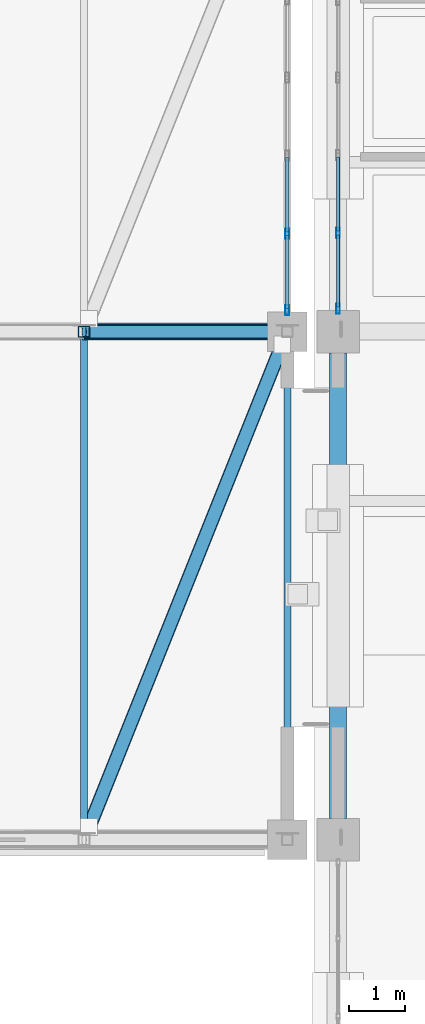
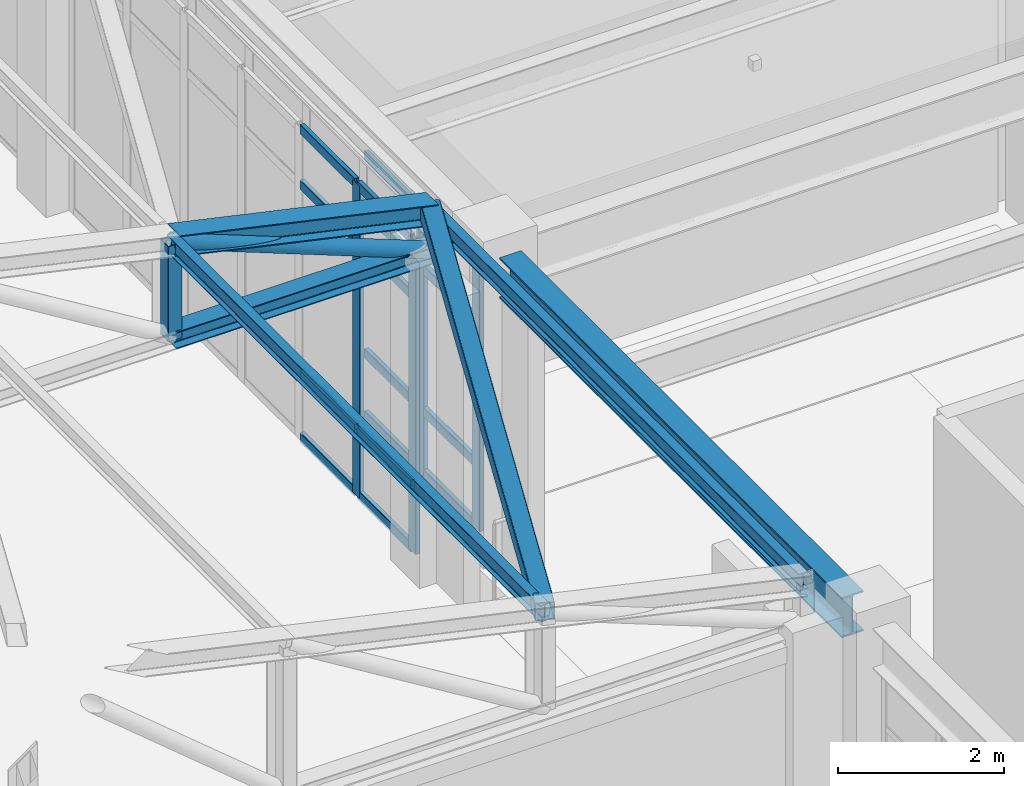
# One storey, part 43 of 139: 26 members, 2 beams, 2 elements without a shape of their own.
"""IFC4 building model written with IfcOpenShell, lengths in metres."""

from ifc_helpers import new_model, si_unit, direction, frame, origin, origin_2d, place, context, subcontext, project, spatial, hollow_rectangle, hollow_circle, i_section, extrude, material, material_profile, profile_set, type_object, element, aggregate, save


model = new_model("IFC4")

# Units and contexts
model_context = context("Model", 3, precision=1e-05, world=origin(), true_north=direction((0.0, 1.0)))
body_context = subcontext(model_context, "Body", "Model", "MODEL_VIEW")
ifc_project = project(units=[si_unit("LENGTHUNIT", "METRE"), si_unit("AREAUNIT", "SQUARE_METRE"), si_unit("VOLUMEUNIT", "CUBIC_METRE"), si_unit("PLANEANGLEUNIT", "RADIAN"), si_unit("MASSUNIT", "GRAM", prefix="KILO")], contexts=[model_context])

# Site, building, storey
site_placement = place(None, origin())
site = spatial("IfcSite", under=ifc_project, at=site_placement, CompositionType="ELEMENT")
building_placement = place(site_placement, origin())
building = spatial("IfcBuilding", under=site, at=building_placement, Name="Canglan Escarpment Cableway Terminal", CompositionType="ELEMENT")
storey_placement = place(building_placement, frame((0.0, 0.0, 14.39990234375)))
storey = spatial("IfcBuildingStorey", under=building, at=storey_placement, Name="L03", CompositionType="ELEMENT", Elevation=14.39990234375)

# Beams
ifc_material_1 = material(Name="Steel Q355C", Category="steel")
ifc_material_profile_1 = material_profile(ifc_material_1, i_section(OverallWidth=0.302001953125, OverallDepth=0.593994140625, WebThickness=0.013916015625, FlangeThickness=0.02294921875, FilletRadius=0.028076171875, at=origin_2d()), Name="HM 594x302x14x23")
ifc_profile_set_1 = profile_set([ifc_material_profile_1], Name="Steel Q355C")
beam_type_1 = type_object("IfcBeamType", Name="BM-HM594", PredefinedType="BEAM", material=ifc_profile_set_1)
beam_1_placement = place(storey_placement, frame((137.60009765625, 43.375, 4.203125), z_axis=(0.0, 1.0, 0.0), x_axis=(-1.0, 0.0, 0.0)))
element("IfcBeam", 1, at=beam_1_placement, inside=storey, type_object=beam_type_1, Name="Primary transverse girder B-07", PredefinedType="BEAM", context=body_context, shape_type="SweptSolid", body=[
    extrude(i_section(OverallWidth=0.302001953125, OverallDepth=0.593994140625, WebThickness=0.013916015625, FlangeThickness=0.02294921875, FilletRadius=0.028076171875, at=origin_2d()), origin(), (0.0, 0.0, 1.0), 8.25),
])
ifc_material_2 = material(Name="Steel Q355B", Category="steel")
ifc_material_profile_2 = material_profile(ifc_material_2, i_section(OverallWidth=0.300048828125, OverallDepth=0.300048828125, WebThickness=0.010009765625, FlangeThickness=0.014892578125, FilletRadius=0.01806640625, at=origin_2d()), Name="HW 300x300x10x15")
ifc_profile_set_2 = profile_set([ifc_material_profile_2], Name="Steel Q355B")
beam_type_2 = type_object("IfcBeamType", Name="BM-PRATT-TOP-HW300", PredefinedType="BEAM", material=ifc_profile_set_2)
beam_2_placement = place(storey_placement, frame((133.10009765625, 52.0, 6.050048828125), z_axis=(0.976182386713, 0.0, -0.216951487369), x_axis=(0.0, 1.0, 0.0)))
element("IfcBeam", 2, at=beam_2_placement, inside=storey, type_object=beam_type_2, Name="Cabin Garage ROOF TRUSS top chord PT-TC1", PredefinedType="BEAM", context=body_context, shape_type="SweptSolid", body=[
    extrude(i_section(OverallWidth=0.300048828125, OverallDepth=0.300048828125, WebThickness=0.010009765625, FlangeThickness=0.014892578125, FilletRadius=0.01806640625, at=origin_2d()), origin(), (0.0, 0.0, 1.0), 3.687744140625),
])

# Curtain wall, members
ifc_material_3 = material(Name="Anodized bronze aluminium and Low-E double glazing", Category="aluminium")
curtain_wall_type_1 = type_object("IfcCurtainWallType", Name="CW-BAY-8300x4600", PredefinedType="NOTDEFINED", material=ifc_material_3)
curtain_wall_1_placement = place(storey_placement, origin())
curtain_wall_1 = element("IfcCurtainWall", 3, at=curtain_wall_1_placement, inside=storey, type_object=curtain_wall_type_1, Name="Classical bay-between-piers glazed curtain wall CW-45", PredefinedType="NOTDEFINED")
ifc_material_4 = material(Name="Thermally broken anodized aluminium 6063-T6", Category="aluminium")
ifc_material_profile_3 = material_profile(ifc_material_4, hollow_rectangle(XDim=0.06494140625, YDim=0.179931640625, WallThickness=0.00390625, InnerFilletRadius=0.00390625, OuterFilletRadius=0.008056640625, at=origin_2d()), Name="ALU-MULL 65x180x4")
ifc_profile_set_3 = profile_set([ifc_material_profile_3], Name="Thermally broken anodized aluminium 6063-T6")
member_type_1 = type_object("IfcMemberType", Name="CWM-03", PredefinedType="MULLION", material=ifc_profile_set_3)
member_1_placement = place(storey_placement, frame((136.699951171875, 52.382568359375, 0.0), z_axis=(0.0, 0.0, 1.0), x_axis=(-1.0, 0.0, 0.0)))
member_1 = element("IfcMember", 4, at=member_1_placement, type_object=member_type_1, Name="CW-45 mullion 1", PredefinedType="MULLION", context=body_context, shape_type="SweptSolid", body=[
    extrude(hollow_rectangle(XDim=0.06494140625, YDim=0.179931640625, WallThickness=0.00390625, InnerFilletRadius=0.00390625, OuterFilletRadius=0.008056640625, at=origin_2d()), origin(), (0.0, 0.0, 1.0), 4.60009765625),
])
member_2_placement = place(storey_placement, frame((136.699951171875, 53.7333984375, 0.0), z_axis=(0.0, 0.0, 1.0), x_axis=(-1.0, 0.0, 0.0)))
member_2 = element("IfcMember", 5, at=member_2_placement, type_object=member_type_1, Name="CW-45 mullion 2", PredefinedType="MULLION", context=body_context, shape_type="SweptSolid", body=[
    extrude(hollow_rectangle(XDim=0.06494140625, YDim=0.179931640625, WallThickness=0.00390625, InnerFilletRadius=0.00390625, OuterFilletRadius=0.008056640625, at=origin_2d()), origin(), (0.0, 0.0, 1.0), 4.60009765625),
])

curtain_wall_type_2 = type_object("IfcCurtainWallType", Name="CW-BAY-8250x3900", PredefinedType="NOTDEFINED", material=ifc_material_3)
curtain_wall_2_placement = place(storey_placement, origin())
curtain_wall_2 = element("IfcCurtainWall", 6, at=curtain_wall_2_placement, inside=storey, type_object=curtain_wall_type_2, Name="Classical bay-between-piers glazed curtain wall CW-62", PredefinedType="NOTDEFINED")
member_3_placement = place(storey_placement, frame((137.60009765625, 53.75, 0.0), z_axis=(0.0, 0.0, 1.0), x_axis=(1.0, 0.0, 0.0)))
member_3 = element("IfcMember", 7, at=member_3_placement, type_object=member_type_1, Name="CW-62 mullion 6", PredefinedType="MULLION", context=body_context, shape_type="SweptSolid", body=[
    extrude(hollow_rectangle(XDim=0.06494140625, YDim=0.179931640625, WallThickness=0.00390625, InnerFilletRadius=0.00390625, OuterFilletRadius=0.008056640625, at=origin_2d()), origin(), (0.0, 0.0, 1.0), 3.89111328125),
])
member_4_placement = place(storey_placement, frame((137.60009765625, 52.407470703125, 0.0), z_axis=(0.0, 0.0, 1.0), x_axis=(1.0, 0.0, 0.0)))
member_4 = element("IfcMember", 8, at=member_4_placement, type_object=member_type_1, Name="CW-62 mullion 7", PredefinedType="MULLION", context=body_context, shape_type="SweptSolid", body=[
    extrude(hollow_rectangle(XDim=0.06494140625, YDim=0.179931640625, WallThickness=0.00390625, InnerFilletRadius=0.00390625, OuterFilletRadius=0.008056640625, at=origin_2d()), origin(), (0.0, 0.0, 1.0), 3.89111328125),
])

# Member
ifc_material_profile_4 = material_profile(ifc_material_4, hollow_rectangle(XDim=0.06494140625, YDim=0.139892578125, WallThickness=0.00341796875, InnerFilletRadius=0.00341796875, OuterFilletRadius=0.007080078125, at=origin_2d()), Name="ALU-TRAN 65x140x3.5")
ifc_profile_set_4 = profile_set([ifc_material_profile_4], Name="Thermally broken anodized aluminium 6063-T6")
member_type_2 = type_object("IfcMemberType", Name="CWT-03", PredefinedType="USERDEFINED", material=ifc_profile_set_4)
member_5_placement = place(storey_placement, frame((136.699951171875, 52.4150390625, 0.03271484375), z_axis=(0.0, 1.0, 0.0), x_axis=(-1.0, 0.0, 0.0)))
member_5 = element("IfcMember", 9, at=member_5_placement, type_object=member_type_2, Name="CW-45 transom 1.1", ObjectType="TRANSOM", PredefinedType="USERDEFINED", context=body_context, shape_type="SweptSolid", body=[
    extrude(hollow_rectangle(XDim=0.06494140625, YDim=0.139892578125, WallThickness=0.00341796875, InnerFilletRadius=0.00341796875, OuterFilletRadius=0.007080078125, at=origin_2d()), origin(), (0.0, 0.0, 1.0), 1.285888671875),
])

member_6_placement = place(storey_placement, frame((136.699951171875, 52.4150390625, 0.9501953125), z_axis=(0.0, 1.0, 0.0), x_axis=(-1.0, 0.0, 0.0)))
member_6 = element("IfcMember", 10, at=member_6_placement, type_object=member_type_2, Name="CW-45 transom 1.2", ObjectType="TRANSOM", PredefinedType="USERDEFINED", context=body_context, shape_type="SweptSolid", body=[
    extrude(hollow_rectangle(XDim=0.06494140625, YDim=0.139892578125, WallThickness=0.00341796875, InnerFilletRadius=0.00341796875, OuterFilletRadius=0.007080078125, at=origin_2d()), origin(), (0.0, 0.0, 1.0), 1.285888671875),
])

member_7_placement = place(storey_placement, frame((136.699951171875, 52.4150390625, 3.75), z_axis=(0.0, 1.0, 0.0), x_axis=(-1.0, 0.0, 0.0)))
member_7 = element("IfcMember", 11, at=member_7_placement, type_object=member_type_2, Name="CW-45 transom 1.3", ObjectType="TRANSOM", PredefinedType="USERDEFINED", context=body_context, shape_type="SweptSolid", body=[
    extrude(hollow_rectangle(XDim=0.06494140625, YDim=0.139892578125, WallThickness=0.00341796875, InnerFilletRadius=0.00341796875, OuterFilletRadius=0.007080078125, at=origin_2d()), origin(), (0.0, 0.0, 1.0), 1.285888671875),
])

member_8_placement = place(storey_placement, frame((136.699951171875, 52.4150390625, 4.567626953125), z_axis=(0.0, 1.0, 0.0), x_axis=(-1.0, 0.0, 0.0)))
member_8 = element("IfcMember", 12, at=member_8_placement, type_object=member_type_2, Name="CW-45 transom 1.4", ObjectType="TRANSOM", PredefinedType="USERDEFINED", context=body_context, shape_type="SweptSolid", body=[
    extrude(hollow_rectangle(XDim=0.06494140625, YDim=0.139892578125, WallThickness=0.00341796875, InnerFilletRadius=0.00341796875, OuterFilletRadius=0.007080078125, at=origin_2d()), origin(), (0.0, 0.0, 1.0), 1.285888671875),
])

member_9_placement = place(storey_placement, frame((136.699951171875, 53.765869140625, 0.03271484375), z_axis=(0.0, 1.0, 0.0), x_axis=(-1.0, 0.0, 0.0)))
member_9 = element("IfcMember", 13, at=member_9_placement, type_object=member_type_2, Name="CW-45 transom 2.1", ObjectType="TRANSOM", PredefinedType="USERDEFINED", context=body_context, shape_type="SweptSolid", body=[
    extrude(hollow_rectangle(XDim=0.06494140625, YDim=0.139892578125, WallThickness=0.00341796875, InnerFilletRadius=0.00341796875, OuterFilletRadius=0.007080078125, at=origin_2d()), origin(), (0.0, 0.0, 1.0), 1.318359375),
])

member_10_placement = place(storey_placement, frame((136.699951171875, 53.765869140625, 0.9501953125), z_axis=(0.0, 1.0, 0.0), x_axis=(-1.0, 0.0, 0.0)))
member_10 = element("IfcMember", 14, at=member_10_placement, type_object=member_type_2, Name="CW-45 transom 2.2", ObjectType="TRANSOM", PredefinedType="USERDEFINED", context=body_context, shape_type="SweptSolid", body=[
    extrude(hollow_rectangle(XDim=0.06494140625, YDim=0.139892578125, WallThickness=0.00341796875, InnerFilletRadius=0.00341796875, OuterFilletRadius=0.007080078125, at=origin_2d()), origin(), (0.0, 0.0, 1.0), 1.318359375),
])

member_11_placement = place(storey_placement, frame((136.699951171875, 53.765869140625, 3.75), z_axis=(0.0, 1.0, 0.0), x_axis=(-1.0, 0.0, 0.0)))
member_11 = element("IfcMember", 15, at=member_11_placement, type_object=member_type_2, Name="CW-45 transom 2.3", ObjectType="TRANSOM", PredefinedType="USERDEFINED", context=body_context, shape_type="SweptSolid", body=[
    extrude(hollow_rectangle(XDim=0.06494140625, YDim=0.139892578125, WallThickness=0.00341796875, InnerFilletRadius=0.00341796875, OuterFilletRadius=0.007080078125, at=origin_2d()), origin(), (0.0, 0.0, 1.0), 1.318359375),
])

member_12_placement = place(storey_placement, frame((136.699951171875, 53.765869140625, 4.567626953125), z_axis=(0.0, 1.0, 0.0), x_axis=(-1.0, 0.0, 0.0)))
member_12 = element("IfcMember", 16, at=member_12_placement, type_object=member_type_2, Name="CW-45 transom 2.4", ObjectType="TRANSOM", PredefinedType="USERDEFINED", context=body_context, shape_type="SweptSolid", body=[
    extrude(hollow_rectangle(XDim=0.06494140625, YDim=0.139892578125, WallThickness=0.00341796875, InnerFilletRadius=0.00341796875, OuterFilletRadius=0.007080078125, at=origin_2d()), origin(), (0.0, 0.0, 1.0), 1.318359375),
])

aggregate(curtain_wall_1, [member_1, member_2, member_5, member_6, member_7, member_8, member_9, member_10, member_11, member_12])

member_13_placement = place(storey_placement, frame((137.60009765625, 55.092529296875, 0.03271484375), z_axis=(0.0, -1.0, 0.0), x_axis=(1.0, 0.0, 0.0)))
member_13 = element("IfcMember", 17, at=member_13_placement, type_object=member_type_2, Name="CW-62 transom 5.1", ObjectType="TRANSOM", PredefinedType="USERDEFINED", context=body_context, shape_type="SweptSolid", body=[
    extrude(hollow_rectangle(XDim=0.06494140625, YDim=0.139892578125, WallThickness=0.00341796875, InnerFilletRadius=0.00341796875, OuterFilletRadius=0.007080078125, at=origin_2d()), origin(), (0.0, 0.0, 1.0), 1.31005859375),
])

member_14_placement = place(storey_placement, frame((137.60009765625, 55.092529296875, 0.9501953125), z_axis=(0.0, -1.0, 0.0), x_axis=(1.0, 0.0, 0.0)))
member_14 = element("IfcMember", 18, at=member_14_placement, type_object=member_type_2, Name="CW-62 transom 5.2", ObjectType="TRANSOM", PredefinedType="USERDEFINED", context=body_context, shape_type="SweptSolid", body=[
    extrude(hollow_rectangle(XDim=0.06494140625, YDim=0.139892578125, WallThickness=0.00341796875, InnerFilletRadius=0.00341796875, OuterFilletRadius=0.007080078125, at=origin_2d()), origin(), (0.0, 0.0, 1.0), 1.31005859375),
])

member_15_placement = place(storey_placement, frame((137.60009765625, 55.092529296875, 3.041015625), z_axis=(0.0, -1.0, 0.0), x_axis=(1.0, 0.0, 0.0)))
member_15 = element("IfcMember", 19, at=member_15_placement, type_object=member_type_2, Name="CW-62 transom 5.3", ObjectType="TRANSOM", PredefinedType="USERDEFINED", context=body_context, shape_type="SweptSolid", body=[
    extrude(hollow_rectangle(XDim=0.06494140625, YDim=0.139892578125, WallThickness=0.00341796875, InnerFilletRadius=0.00341796875, OuterFilletRadius=0.007080078125, at=origin_2d()), origin(), (0.0, 0.0, 1.0), 1.31005859375),
])

member_16_placement = place(storey_placement, frame((137.60009765625, 55.092529296875, 3.858642578125), z_axis=(0.0, -1.0, 0.0), x_axis=(1.0, 0.0, 0.0)))
member_16 = element("IfcMember", 20, at=member_16_placement, type_object=member_type_2, Name="CW-62 transom 5.4", ObjectType="TRANSOM", PredefinedType="USERDEFINED", context=body_context, shape_type="SweptSolid", body=[
    extrude(hollow_rectangle(XDim=0.06494140625, YDim=0.139892578125, WallThickness=0.00341796875, InnerFilletRadius=0.00341796875, OuterFilletRadius=0.007080078125, at=origin_2d()), origin(), (0.0, 0.0, 1.0), 1.31005859375),
])

member_17_placement = place(storey_placement, frame((137.60009765625, 53.717529296875, 0.03271484375), z_axis=(0.0, -1.0, 0.0), x_axis=(1.0, 0.0, 0.0)))
member_17 = element("IfcMember", 21, at=member_17_placement, type_object=member_type_2, Name="CW-62 transom 6.1", ObjectType="TRANSOM", PredefinedType="USERDEFINED", context=body_context, shape_type="SweptSolid", body=[
    extrude(hollow_rectangle(XDim=0.06494140625, YDim=0.139892578125, WallThickness=0.00341796875, InnerFilletRadius=0.00341796875, OuterFilletRadius=0.007080078125, at=origin_2d()), origin(), (0.0, 0.0, 1.0), 1.277587890625),
])

member_18_placement = place(storey_placement, frame((137.60009765625, 53.717529296875, 0.9501953125), z_axis=(0.0, -1.0, 0.0), x_axis=(1.0, 0.0, 0.0)))
member_18 = element("IfcMember", 22, at=member_18_placement, type_object=member_type_2, Name="CW-62 transom 6.2", ObjectType="TRANSOM", PredefinedType="USERDEFINED", context=body_context, shape_type="SweptSolid", body=[
    extrude(hollow_rectangle(XDim=0.06494140625, YDim=0.139892578125, WallThickness=0.00341796875, InnerFilletRadius=0.00341796875, OuterFilletRadius=0.007080078125, at=origin_2d()), origin(), (0.0, 0.0, 1.0), 1.277587890625),
])

member_19_placement = place(storey_placement, frame((137.60009765625, 53.717529296875, 3.041015625), z_axis=(0.0, -1.0, 0.0), x_axis=(1.0, 0.0, 0.0)))
member_19 = element("IfcMember", 23, at=member_19_placement, type_object=member_type_2, Name="CW-62 transom 6.3", ObjectType="TRANSOM", PredefinedType="USERDEFINED", context=body_context, shape_type="SweptSolid", body=[
    extrude(hollow_rectangle(XDim=0.06494140625, YDim=0.139892578125, WallThickness=0.00341796875, InnerFilletRadius=0.00341796875, OuterFilletRadius=0.007080078125, at=origin_2d()), origin(), (0.0, 0.0, 1.0), 1.277587890625),
])

member_20_placement = place(storey_placement, frame((137.60009765625, 53.717529296875, 3.858642578125), z_axis=(0.0, -1.0, 0.0), x_axis=(1.0, 0.0, 0.0)))
member_20 = element("IfcMember", 24, at=member_20_placement, type_object=member_type_2, Name="CW-62 transom 6.4", ObjectType="TRANSOM", PredefinedType="USERDEFINED", context=body_context, shape_type="SweptSolid", body=[
    extrude(hollow_rectangle(XDim=0.06494140625, YDim=0.139892578125, WallThickness=0.00341796875, InnerFilletRadius=0.00341796875, OuterFilletRadius=0.007080078125, at=origin_2d()), origin(), (0.0, 0.0, 1.0), 1.277587890625),
])

aggregate(curtain_wall_2, [member_3, member_4, member_13, member_14, member_15, member_16, member_17, member_18, member_19, member_20])

# Members
ifc_material_profile_5 = material_profile(ifc_material_2, hollow_rectangle(XDim=0.25, YDim=0.25, WallThickness=0.010009765625, InnerFilletRadius=0.010009765625, OuterFilletRadius=0.02001953125, at=origin_2d()), Name="SHS 250x250x10")
ifc_profile_set_5 = profile_set([ifc_material_profile_5], Name="Steel Q355B")
member_type_3 = type_object("IfcMemberType", Name="MB-FRAME-BR-SHS250", PredefinedType="BRACE", material=ifc_profile_set_5)
member_21_placement = place(storey_placement, frame((133.10009765625, 43.0, 6.050048828125), z_axis=(0.37011910414, 0.925335412344, -0.082257056919), x_axis=(-0.928481901832, 0.371377648723, 0.0)))
element("IfcMember", 25, at=member_21_placement, inside=storey, type_object=member_type_3, Name="Cabin Garage roof lateral brace BR-02", PredefinedType="BRACE", context=body_context, shape_type="SweptSolid", body=[
    extrude(hollow_rectangle(XDim=0.25, YDim=0.25, WallThickness=0.010009765625, InnerFilletRadius=0.010009765625, OuterFilletRadius=0.02001953125, at=origin_2d()), origin(), (0.0, 0.0, 1.0), 9.726318359375),
])
ifc_material_profile_6 = material_profile(ifc_material_2, i_section(OverallWidth=0.125, OverallDepth=0.25, WebThickness=0.006103515625, FlangeThickness=0.009033203125, FilletRadius=0.011962890625, at=origin_2d()), Name="HN 250x125x6x9")
ifc_profile_set_6 = profile_set([ifc_material_profile_6], Name="Steel Q355B")
member_type_4 = type_object("IfcMemberType", Name="MB-GARAGE-PUR-HN250", PredefinedType="PURLIN", material=ifc_profile_set_6)
for number, where, z_axis, x_axis, name in (
    (26, (133.10009765625, 43.0, 6.030029296875), (0.0, 1.0, 0.0), (-1.0, 0.0, 0.0), "Cabin Garage roof purlin PR-02"),
    (27, (136.699951171875, 43.0, 5.22998046875), (0.0, 1.0, 0.0), (-1.0, 0.0, 0.0), "Cabin Garage roof purlin PR-02"),
):
    element("IfcMember", number, at=place(storey_placement, frame(where, z_axis=z_axis, x_axis=x_axis)), inside=storey, type_object=member_type_4, Name=name, PredefinedType="PURLIN", context=body_context, shape_type="SweptSolid", body=[
        extrude(i_section(OverallWidth=0.125, OverallDepth=0.25, WebThickness=0.006103515625, FlangeThickness=0.009033203125, FilletRadius=0.011962890625, at=origin_2d()), origin(), (0.0, 0.0, 1.0), 9.0),
    ])
ifc_material_profile_7 = material_profile(ifc_material_2, i_section(OverallWidth=0.25, OverallDepth=0.25, WebThickness=0.009033203125, FlangeThickness=0.013916015625, FilletRadius=0.01611328125, at=origin_2d()), Name="HW 250x250x9x14")
ifc_profile_set_7 = profile_set([ifc_material_profile_7], Name="Steel Q355B")
member_type_5 = type_object("IfcMemberType", Name="MB-PRATT-BOT-HW250", PredefinedType="CHORD", material=ifc_profile_set_7)
member_22_placement = place(storey_placement, frame((133.10009765625, 52.0, 4.650146484375), z_axis=(1.0, 0.0, 0.0), x_axis=(0.0, 1.0, 0.0)))
element("IfcMember", 28, at=member_22_placement, inside=storey, type_object=member_type_5, Name="Cabin Garage ROOF TRUSS bottom chord PT-BC1", PredefinedType="CHORD", context=body_context, shape_type="SweptSolid", body=[
    extrude(i_section(OverallWidth=0.25, OverallDepth=0.25, WebThickness=0.009033203125, FlangeThickness=0.013916015625, FilletRadius=0.01611328125, at=origin_2d()), origin(), (0.0, 0.0, 1.0), 3.599853515625),
])
ifc_material_profile_8 = material_profile(ifc_material_2, hollow_circle(Radius=0.109619140625, WallThickness=0.008056640625, at=origin_2d()), Name="CHS 219.1x8")
ifc_profile_set_8 = profile_set([ifc_material_profile_8], Name="Steel Q355B")
member_type_6 = type_object("IfcMemberType", Name="MB-PRATT-DIAG-CHS219", PredefinedType="BRACE", material=ifc_profile_set_8)
member_23_placement = place(storey_placement, frame((133.10009765625, 52.0, 6.050048828125), z_axis=(0.932008230148, 0.0, -0.36243711032), x_axis=(0.0, 1.0, 0.0)))
element("IfcMember", 29, at=member_23_placement, inside=storey, type_object=member_type_6, Name="Cabin Garage ROOF TRUSS diagonal PT-DG1", PredefinedType="BRACE", context=body_context, shape_type="SweptSolid", body=[
    extrude(hollow_circle(Radius=0.109619140625, WallThickness=0.008056640625, at=origin_2d()), origin(), (0.0, 0.0, 1.0), 3.862548828125),
])
ifc_material_profile_9 = material_profile(ifc_material_2, hollow_rectangle(XDim=0.199951171875, YDim=0.199951171875, WallThickness=0.008056640625, InnerFilletRadius=0.008056640625, OuterFilletRadius=0.01611328125, at=origin_2d()), Name="SHS 200x200x8")
ifc_profile_set_9 = profile_set([ifc_material_profile_9], Name="Steel Q355B")
member_type_7 = type_object("IfcMemberType", Name="MB-PRATT-WEB-SHS200", PredefinedType="BRACE", material=ifc_profile_set_9)
member_24_placement = place(storey_placement, frame((133.10009765625, 52.0, 4.650146484375), z_axis=(0.0, 0.0, 1.0), x_axis=(1.0, 0.0, 0.0)))
element("IfcMember", 30, at=member_24_placement, inside=storey, type_object=member_type_7, Name="Cabin Garage ROOF TRUSS strut PT-WB1", PredefinedType="BRACE", context=body_context, shape_type="SweptSolid", body=[
    extrude(hollow_rectangle(XDim=0.199951171875, YDim=0.199951171875, WallThickness=0.008056640625, InnerFilletRadius=0.008056640625, OuterFilletRadius=0.01611328125, at=origin_2d()), origin(), (0.0, 0.0, 1.0), 1.39990234375),
])

save(model, "model.ifc")
